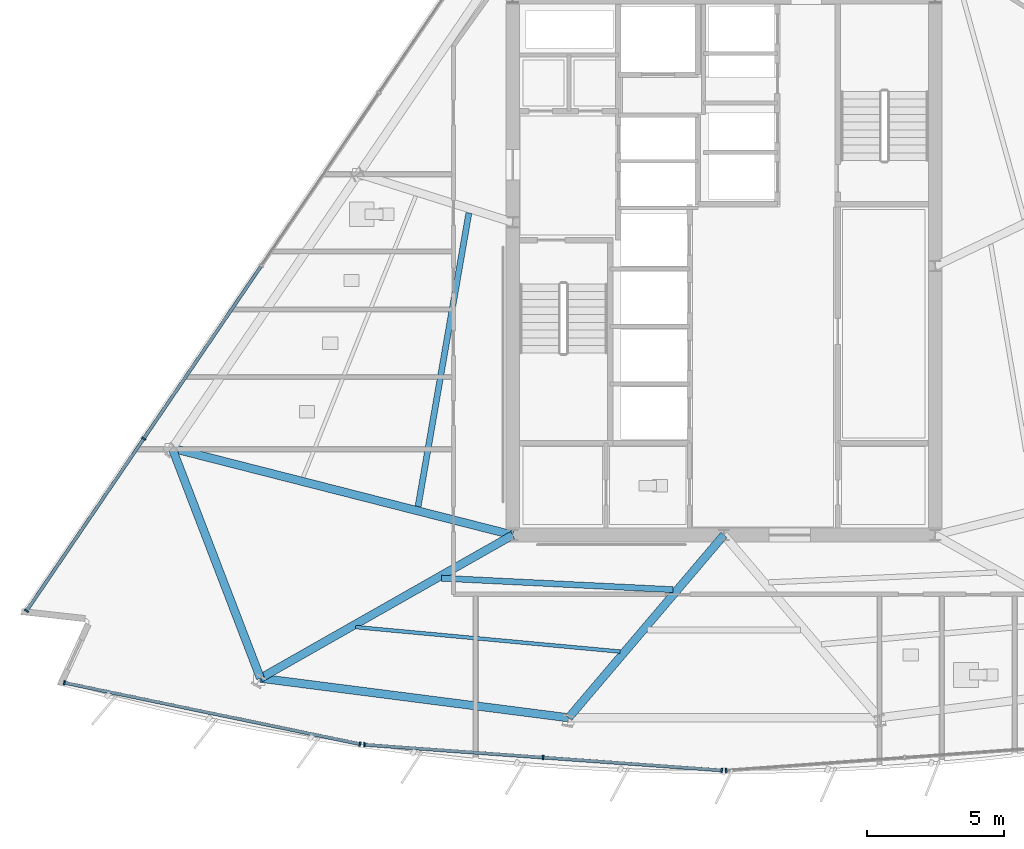
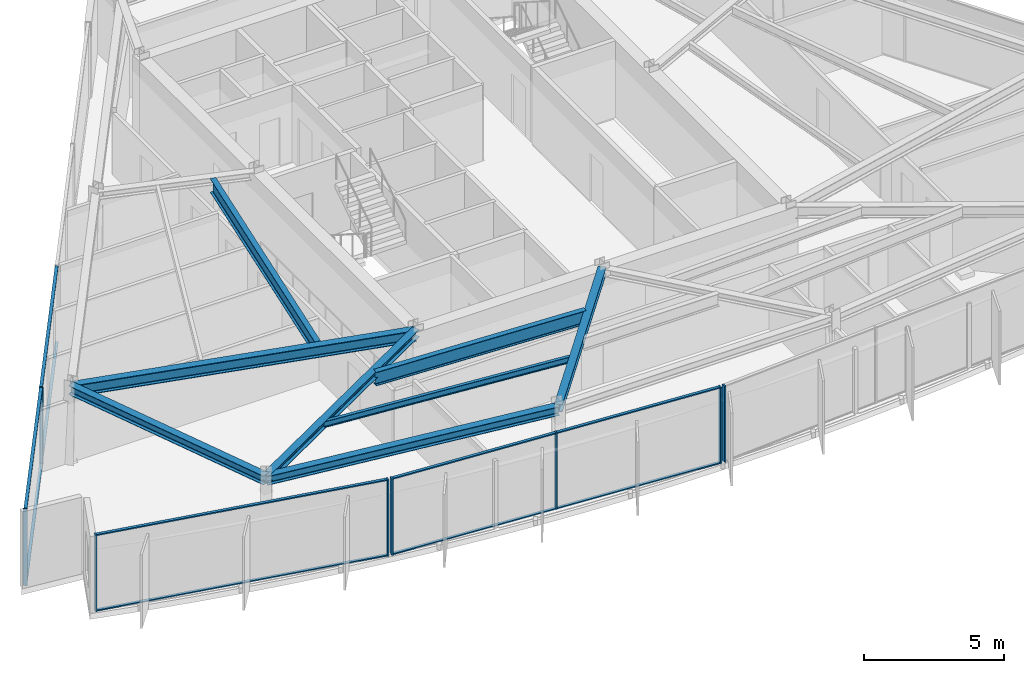
# One storey, part 2 of 15: 18 members, 8 beams, 4 elements without a shape of their own.
"""IFC4 building model written with IfcOpenShell, lengths in metres."""

from ifc_helpers import new_model, si_unit, direction, frame, origin, origin_2d, place, context, subcontext, project, spatial, rectangle, i_section, extrude, material, material_profile, profile_set, type_object, element, aggregate, save


model = new_model("IFC4")

# Units and contexts
model_context = context("Model", 3, precision=1e-05, world=origin(), true_north=direction((0.0, 1.0)))
body_context = subcontext(model_context, "Body", "Model", "MODEL_VIEW")
ifc_project = project(units=[si_unit("LENGTHUNIT", "METRE"), si_unit("AREAUNIT", "SQUARE_METRE"), si_unit("VOLUMEUNIT", "CUBIC_METRE"), si_unit("PLANEANGLEUNIT", "RADIAN"), si_unit("MASSUNIT", "GRAM", prefix="KILO")], contexts=[model_context])

# Site, building, storey
site_placement = place(None, origin())
site = spatial("IfcSite", under=ifc_project, at=site_placement, CompositionType="ELEMENT")
building_placement = place(site_placement, origin())
building = spatial("IfcBuilding", under=site, at=building_placement, Name="Savorim Split Tower", CompositionType="ELEMENT")
storey_placement = place(building_placement, frame((0.0, 0.0, 198.300048828125)))
storey = spatial("IfcBuildingStorey", under=building, at=storey_placement, Name="L52", CompositionType="ELEMENT", Elevation=198.300048828125)

# Beams
ifc_material_1 = material(Name="Steel S355", Category="steel")
ifc_material_profile_1 = material_profile(ifc_material_1, i_section(OverallWidth=0.135009765625, OverallDepth=0.27001953125, WebThickness=0.006591796875, FlangeThickness=0.01025390625, FilletRadius=0.014892578125, at=origin_2d()), Name="IPE 270")
ifc_profile_set_1 = profile_set([ifc_material_profile_1], Name="Steel S355")
beam_type_1 = type_object("IfcBeamType", Name="BM-JST-IPE270", PredefinedType="JOIST", material=ifc_profile_set_1)
beam_1_placement = place(storey_placement, frame((-13.425048828125, -12.75537109375, 3.21484375), z_axis=(0.995735700438, -0.092251909857, 0.0), x_axis=(0.092251909857, 0.995735700438, 0.0)))
element("IfcBeam", 1, at=beam_1_placement, inside=storey, type_object=beam_type_1, Name="L52 Secondary Floor Joist JS-01", PredefinedType="JOIST", context=body_context, shape_type="SweptSolid", body=[
    extrude(i_section(OverallWidth=0.135009765625, OverallDepth=0.27001953125, WebThickness=0.006591796875, FlangeThickness=0.01025390625, FilletRadius=0.014892578125, at=origin_2d()), origin(), (0.0, 0.0, 1.0), 9.683349609375),
])
ifc_material_profile_2 = material_profile(ifc_material_1, i_section(OverallWidth=0.219970703125, OverallDepth=0.60009765625, WebThickness=0.011962890625, FlangeThickness=0.01904296875, FilletRadius=0.02392578125, at=origin_2d()), Name="IPE 600")
ifc_profile_set_2 = profile_set([ifc_material_profile_2], Name="Steel S355")
beam_type_2 = type_object("IfcBeamType", Name="BM-JST-IPE600", PredefinedType="JOIST", material=ifc_profile_set_2)
beam_2_placement = place(storey_placement, frame((-10.298583984375, -10.973876953125, 3.050048828125), z_axis=(0.998783197976, -0.049316563563, 0.0), x_axis=(0.049316563563, 0.998783197976, 0.0)))
element("IfcBeam", 2, at=beam_2_placement, inside=storey, type_object=beam_type_2, Name="L52 Secondary Floor Joist JS-02", PredefinedType="JOIST", context=body_context, shape_type="SweptSolid", body=[
    extrude(i_section(OverallWidth=0.219970703125, OverallDepth=0.60009765625, WebThickness=0.011962890625, FlangeThickness=0.01904296875, FilletRadius=0.02392578125, at=origin_2d()), origin(), (0.0, 0.0, 1.0), 8.450439453125),
])
beam_3_placement = place(storey_placement, frame((-9.297607421875, 2.33740234375, 3.050048828125), z_axis=(-0.170542693809, -0.98535028776, 0.0), x_axis=(0.98535028776, -0.170542693809, 0.0)))
element("IfcBeam", 3, at=beam_3_placement, inside=storey, type_object=beam_type_2, Name="L52 Secondary Floor Joist JS-11", PredefinedType="JOIST", context=body_context, shape_type="SweptSolid", body=[
    extrude(i_section(OverallWidth=0.219970703125, OverallDepth=0.60009765625, WebThickness=0.011962890625, FlangeThickness=0.01904296875, FilletRadius=0.02392578125, at=origin_2d()), origin(), (0.0, 0.0, 1.0), 10.8525390625),
])
ifc_material_profile_3 = material_profile(ifc_material_1, i_section(OverallWidth=0.300048828125, OverallDepth=0.320068359375, WebThickness=0.011474609375, FlangeThickness=0.0205078125, FilletRadius=0.027099609375, at=origin_2d()), Name="HEB 320")
ifc_profile_set_3 = profile_set([ifc_material_profile_3], Name="Steel S355")
beam_type_3 = type_object("IfcBeamType", Name="BM-PRI-HEB320", PredefinedType="BEAM", material=ifc_profile_set_3)
beam_4_placement = place(storey_placement, frame((-16.894287109375, -14.61962890625, 3.18994140625), z_axis=(0.869632327229, 0.493699924486, 0.0), x_axis=(-0.493699924486, 0.869632327229, 0.0)))
element("IfcBeam", 4, at=beam_4_placement, inside=storey, type_object=beam_type_3, Name="L52 Primary Floor Girder RG-01", PredefinedType="BEAM", context=body_context, shape_type="SweptSolid", body=[
    extrude(i_section(OverallWidth=0.300048828125, OverallDepth=0.320068359375, WebThickness=0.011474609375, FlangeThickness=0.0205078125, FilletRadius=0.027099609375, at=origin_2d()), origin(), (0.0, 0.0, 1.0), 10.57275390625),
])
beam_5_placement = place(storey_placement, frame((-5.662109375, -16.061767578125, 3.18994140625), z_axis=(0.647616807297, 0.761966187509, 0.0), x_axis=(-0.761966187509, 0.647616807297, 0.0)))
element("IfcBeam", 5, at=beam_5_placement, inside=storey, type_object=beam_type_3, Name="L52 Primary Floor Girder RG-02", PredefinedType="BEAM", context=body_context, shape_type="SweptSolid", body=[
    extrude(i_section(OverallWidth=0.300048828125, OverallDepth=0.320068359375, WebThickness=0.011474609375, FlangeThickness=0.0205078125, FilletRadius=0.027099609375, at=origin_2d()), origin(), (0.0, 0.0, 1.0), 8.742919921875),
])
ifc_material_profile_4 = material_profile(ifc_material_1, i_section(OverallWidth=0.300048828125, OverallDepth=0.5, WebThickness=0.014404296875, FlangeThickness=0.028076171875, FilletRadius=0.027099609375, at=origin_2d()), Name="HEB 500")
ifc_profile_set_4 = profile_set([ifc_material_profile_4], Name="Steel S355")
beam_type_4 = type_object("IfcBeamType", Name="BM-PRI-HEB500", PredefinedType="BEAM", material=ifc_profile_set_4)
beam_6_placement = place(storey_placement, frame((-20.11328125, -6.235595703125, 3.099853515625), z_axis=(0.969012209776, -0.247012828221, 0.0), x_axis=(0.247012828221, 0.969012209776, 0.0)))
element("IfcBeam", 6, at=beam_6_placement, inside=storey, type_object=beam_type_4, Name="L52 Primary Floor Girder RG-10", PredefinedType="BEAM", context=body_context, shape_type="SweptSolid", body=[
    extrude(i_section(OverallWidth=0.300048828125, OverallDepth=0.5, WebThickness=0.014404296875, FlangeThickness=0.028076171875, FilletRadius=0.027099609375, at=origin_2d()), origin(), (0.0, 0.0, 1.0), 12.810302734375),
])
ifc_material_profile_5 = material_profile(ifc_material_1, i_section(OverallWidth=0.300048828125, OverallDepth=0.389892578125, WebThickness=0.010986328125, FlangeThickness=0.01904296875, FilletRadius=0.027099609375, at=origin_2d()), Name="HEA 400")
ifc_profile_set_5 = profile_set([ifc_material_profile_5], Name="Steel S355")
beam_type_5 = type_object("IfcBeamType", Name="BM-SPN-HEA400", PredefinedType="SPANDREL", material=ifc_profile_set_5)
beam_7_placement = place(storey_placement, frame((-16.894287109375, -14.61962890625, 3.155029296875), z_axis=(0.991858080732, -0.127348135781, 0.0), x_axis=(0.127348135781, 0.991858080732, 0.0)))
element("IfcBeam", 7, at=beam_7_placement, inside=storey, type_object=beam_type_5, Name="L52 Perimeter Spandrel Beam 1", PredefinedType="SPANDREL", context=body_context, shape_type="SweptSolid", body=[
    extrude(i_section(OverallWidth=0.300048828125, OverallDepth=0.389892578125, WebThickness=0.010986328125, FlangeThickness=0.01904296875, FilletRadius=0.027099609375, at=origin_2d()), origin(), (0.0, 0.0, 1.0), 11.324462890625),
])
beam_8_placement = place(storey_placement, frame((-20.11328125, -6.235595703125, 3.155029296875), z_axis=(0.358432517798, -0.933555638505, 0.0), x_axis=(0.933555638505, 0.358432517798, 0.0)))
element("IfcBeam", 8, at=beam_8_placement, inside=storey, type_object=beam_type_5, Name="L52 Perimeter Spandrel Beam 10", PredefinedType="SPANDREL", context=body_context, shape_type="SweptSolid", body=[
    extrude(i_section(OverallWidth=0.300048828125, OverallDepth=0.389892578125, WebThickness=0.010986328125, FlangeThickness=0.01904296875, FilletRadius=0.027099609375, at=origin_2d()), origin(), (0.0, 0.0, 1.0), 8.980712890625),
])

# Curtain wall, members
ifc_material_2 = material(Name="Dark Ceramic-Fritted Insulated Glass", Category="glass")
curtain_wall_type = type_object("IfcCurtainWallType", Name="CW-TWR-FRIT-B", PredefinedType="NOTDEFINED", material=ifc_material_2)
curtain_wall_1_placement = place(storey_placement, origin())
curtain_wall_1 = element("IfcCurtainWall", 9, at=curtain_wall_1_placement, inside=storey, type_object=curtain_wall_type, Name="L52 Curtain Wall CW-L52-SF1", PredefinedType="NOTDEFINED")
ifc_material_3 = material(Name="Charcoal Anodised Aluminium", Category="aluminium")
ifc_material_profile_6 = material_profile(ifc_material_3, rectangle(XDim=0.159912109375, YDim=0.06005859375, at=origin_2d()), Name="ALU-M 160x60")
ifc_profile_set_6 = profile_set([ifc_material_profile_6], Name="Charcoal Anodised Aluminium")
member_type_1 = type_object("IfcMemberType", Name="CWM-160x60", PredefinedType="MULLION", material=ifc_profile_set_6)
member_1_placement = place(storey_placement, frame((-24.041259765625, -14.782958984375, 0.0), z_axis=(0.0, 0.0, 1.0), x_axis=(0.203207957161, 0.979135601511, 0.0)))
member_1 = element("IfcMember", 10, at=member_1_placement, type_object=member_type_1, Name="CW-03 mullion 1", PredefinedType="MULLION", context=body_context, shape_type="SweptSolid", body=[
    extrude(rectangle(XDim=0.159912109375, YDim=0.06005859375, at=origin_2d()), origin(), (0.0, 0.0, 1.0), 3.349853515625),
])
member_2_placement = place(storey_placement, frame((-13.264404296875, -17.01953125, 0.0), z_axis=(0.0, 0.0, 1.0), x_axis=(0.203207957161, 0.979135601511, 0.0)))
member_2 = element("IfcMember", 11, at=member_2_placement, type_object=member_type_1, Name="CW-03 mullion 2", PredefinedType="MULLION", context=body_context, shape_type="SweptSolid", body=[
    extrude(rectangle(XDim=0.159912109375, YDim=0.06005859375, at=origin_2d()), origin(), (0.0, 0.0, 1.0), 3.349853515625),
])

curtain_wall_2_placement = place(storey_placement, origin())
curtain_wall_2 = element("IfcCurtainWall", 12, at=curtain_wall_2_placement, inside=storey, type_object=curtain_wall_type, Name="L52 Curtain Wall CW-L52-SF2", PredefinedType="NOTDEFINED")
member_3_placement = place(storey_placement, frame((-13.102294921875, -17.0419921875, 0.0), z_axis=(0.0, 0.0, 1.0), x_axis=(0.071561883187, 0.997436161804, 0.0)))
member_3 = element("IfcMember", 13, at=member_3_placement, type_object=member_type_1, Name="CW-03 mullion 1", PredefinedType="MULLION", context=body_context, shape_type="SweptSolid", body=[
    extrude(rectangle(XDim=0.159912109375, YDim=0.06005859375, at=origin_2d()), origin(), (0.0, 0.0, 1.0), 3.349853515625),
])
member_4_placement = place(storey_placement, frame((-6.591796875, -17.509033203125, 0.0), z_axis=(0.0, 0.0, 1.0), x_axis=(0.071561883187, 0.997436161804, 0.0)))
member_4 = element("IfcMember", 14, at=member_4_placement, type_object=member_type_1, Name="CW-03 mullion 2", PredefinedType="MULLION", context=body_context, shape_type="SweptSolid", body=[
    extrude(rectangle(XDim=0.159912109375, YDim=0.06005859375, at=origin_2d()), origin(), (0.0, 0.0, 1.0), 3.349853515625),
])
member_5_placement = place(storey_placement, frame((-0.081298828125, -17.976318359375, 0.0), z_axis=(0.0, 0.0, 1.0), x_axis=(0.071561883187, 0.997436161804, 0.0)))
member_5 = element("IfcMember", 15, at=member_5_placement, type_object=member_type_1, Name="CW-03 mullion 3", PredefinedType="MULLION", context=body_context, shape_type="SweptSolid", body=[
    extrude(rectangle(XDim=0.159912109375, YDim=0.06005859375, at=origin_2d()), origin(), (0.0, 0.0, 1.0), 3.349853515625),
])

# Curtain wall, member
curtain_wall_3_placement = place(storey_placement, origin())
curtain_wall_3 = element("IfcCurtainWall", 16, at=curtain_wall_3_placement, inside=storey, type_object=curtain_wall_type, Name="L52 Curtain Wall CW-L52-SF3", PredefinedType="NOTDEFINED")
member_6_placement = place(storey_placement, frame((0.081298828125, -17.976318359375, 0.0), z_axis=(0.0, 0.0, 1.0), x_axis=(-0.071561883187, 0.997436161804, 0.0)))
member_6 = element("IfcMember", 17, at=member_6_placement, type_object=member_type_1, Name="CW-03 mullion 1", PredefinedType="MULLION", context=body_context, shape_type="SweptSolid", body=[
    extrude(rectangle(XDim=0.159912109375, YDim=0.06005859375, at=origin_2d()), origin(), (0.0, 0.0, 1.0), 3.349853515625),
])
aggregate(curtain_wall_3, [member_6])

# Curtain wall, members
curtain_wall_4_placement = place(storey_placement, origin())
curtain_wall_4 = element("IfcCurtainWall", 18, at=curtain_wall_4_placement, inside=storey, type_object=curtain_wall_type, Name="L52 Curtain Wall CW-L52-WEST", PredefinedType="NOTDEFINED")
member_7_placement = place(storey_placement, frame((-21.147705078125, -5.884033203125, 0.0), z_axis=(0.0, 0.0, 1.0), x_axis=(0.826820907104, -0.562465276773, 0.0)))
member_7 = element("IfcMember", 19, at=member_7_placement, type_object=member_type_1, Name="CW-03 mullion 4", PredefinedType="MULLION", context=body_context, shape_type="SweptSolid", body=[
    extrude(rectangle(XDim=0.159912109375, YDim=0.06005859375, at=origin_2d()), origin(), (0.0, 0.0, 1.0), 3.349853515625),
])
member_8_placement = place(storey_placement, frame((-25.4189453125, -12.16259765625, 0.0), z_axis=(0.0, 0.0, 1.0), x_axis=(0.826820907104, -0.562465276773, 0.0)))
member_8 = element("IfcMember", 20, at=member_8_placement, type_object=member_type_1, Name="CW-03 mullion 5", PredefinedType="MULLION", context=body_context, shape_type="SweptSolid", body=[
    extrude(rectangle(XDim=0.159912109375, YDim=0.06005859375, at=origin_2d()), origin(), (0.0, 0.0, 1.0), 3.349853515625),
])

# Member
ifc_material_profile_7 = material_profile(ifc_material_3, rectangle(XDim=0.1201171875, YDim=0.050048828125, at=origin_2d()), Name="ALU-T 120x50")
ifc_profile_set_7 = profile_set([ifc_material_profile_7], Name="Charcoal Anodised Aluminium")
member_type_2 = type_object("IfcMemberType", Name="CWT-120x50", PredefinedType="USERDEFINED", material=ifc_profile_set_7)
member_9_placement = place(storey_placement, frame((-24.011962890625, -14.7890625, 0.02490234375), z_axis=(0.979137102834, -0.203200723063, 0.0), x_axis=(0.203200723063, 0.979137102834, 0.0)))
member_9 = element("IfcMember", 21, at=member_9_placement, type_object=member_type_2, Name="CW-03 transom 1.1", ObjectType="TRANSOM", PredefinedType="USERDEFINED", context=body_context, shape_type="SweptSolid", body=[
    extrude(rectangle(XDim=0.1201171875, YDim=0.050048828125, at=origin_2d()), origin(), (0.0, 0.0, 1.0), 10.946533203125),
])

member_10_placement = place(storey_placement, frame((-24.011962890625, -14.7890625, 3.324951171875), z_axis=(0.979137102834, -0.203200723063, 0.0), x_axis=(0.203200723063, 0.979137102834, 0.0)))
member_10 = element("IfcMember", 22, at=member_10_placement, type_object=member_type_2, Name="CW-03 transom 1.2", ObjectType="TRANSOM", PredefinedType="USERDEFINED", context=body_context, shape_type="SweptSolid", body=[
    extrude(rectangle(XDim=0.1201171875, YDim=0.050048828125, at=origin_2d()), origin(), (0.0, 0.0, 1.0), 10.946533203125),
])

aggregate(curtain_wall_1, [member_1, member_2, member_9, member_10])

member_11_placement = place(storey_placement, frame((-13.072265625, -17.044189453125, 0.02490234375), z_axis=(0.997435267849, -0.071574342133, 0.0), x_axis=(0.071574342133, 0.997435267849, 0.0)))
member_11 = element("IfcMember", 23, at=member_11_placement, type_object=member_type_2, Name="CW-03 transom 1.1", ObjectType="TRANSOM", PredefinedType="USERDEFINED", context=body_context, shape_type="SweptSolid", body=[
    extrude(rectangle(XDim=0.1201171875, YDim=0.050048828125, at=origin_2d()), origin(), (0.0, 0.0, 1.0), 6.46728515625),
])

member_12_placement = place(storey_placement, frame((-13.072265625, -17.044189453125, 3.324951171875), z_axis=(0.997435267849, -0.071574342133, 0.0), x_axis=(0.071574342133, 0.997435267849, 0.0)))
member_12 = element("IfcMember", 24, at=member_12_placement, type_object=member_type_2, Name="CW-03 transom 1.2", ObjectType="TRANSOM", PredefinedType="USERDEFINED", context=body_context, shape_type="SweptSolid", body=[
    extrude(rectangle(XDim=0.1201171875, YDim=0.050048828125, at=origin_2d()), origin(), (0.0, 0.0, 1.0), 6.46728515625),
])

member_13_placement = place(storey_placement, frame((-6.561767578125, -17.51123046875, 0.02490234375), z_axis=(0.997435267849, -0.071574342133, 0.0), x_axis=(0.071574342133, 0.997435267849, 0.0)))
member_13 = element("IfcMember", 25, at=member_13_placement, type_object=member_type_2, Name="CW-03 transom 2.1", ObjectType="TRANSOM", PredefinedType="USERDEFINED", context=body_context, shape_type="SweptSolid", body=[
    extrude(rectangle(XDim=0.1201171875, YDim=0.050048828125, at=origin_2d()), origin(), (0.0, 0.0, 1.0), 6.46728515625),
])

member_14_placement = place(storey_placement, frame((-6.561767578125, -17.51123046875, 3.324951171875), z_axis=(0.997435267849, -0.071574342133, 0.0), x_axis=(0.071574342133, 0.997435267849, 0.0)))
member_14 = element("IfcMember", 26, at=member_14_placement, type_object=member_type_2, Name="CW-03 transom 2.2", ObjectType="TRANSOM", PredefinedType="USERDEFINED", context=body_context, shape_type="SweptSolid", body=[
    extrude(rectangle(XDim=0.1201171875, YDim=0.050048828125, at=origin_2d()), origin(), (0.0, 0.0, 1.0), 6.46728515625),
])

aggregate(curtain_wall_2, [member_3, member_4, member_5, member_11, member_12, member_13, member_14])

member_15_placement = place(storey_placement, frame((-16.876708984375, 0.39453125, 0.02490234375), z_axis=(-0.562460105571, -0.826824424918, 0.0), x_axis=(0.826824424918, -0.562460105571, 0.0)))
member_15 = element("IfcMember", 27, at=member_15_placement, type_object=member_type_2, Name="CW-03 transom 3.1", ObjectType="TRANSOM", PredefinedType="USERDEFINED", context=body_context, shape_type="SweptSolid", body=[
    extrude(rectangle(XDim=0.1201171875, YDim=0.050048828125, at=origin_2d()), origin(), (0.0, 0.0, 1.0), 7.5634765625),
])

member_16_placement = place(storey_placement, frame((-16.876708984375, 0.39453125, 3.324951171875), z_axis=(-0.562460105571, -0.826824424918, 0.0), x_axis=(0.826824424918, -0.562460105571, 0.0)))
member_16 = element("IfcMember", 28, at=member_16_placement, type_object=member_type_2, Name="CW-03 transom 3.2", ObjectType="TRANSOM", PredefinedType="USERDEFINED", context=body_context, shape_type="SweptSolid", body=[
    extrude(rectangle(XDim=0.1201171875, YDim=0.050048828125, at=origin_2d()), origin(), (0.0, 0.0, 1.0), 7.5634765625),
])

member_17_placement = place(storey_placement, frame((-21.16455078125, -5.90869140625, 0.02490234375), z_axis=(-0.562453610104, -0.826828843523, 0.0), x_axis=(0.826828843523, -0.562453610104, 0.0)))
member_17 = element("IfcMember", 29, at=member_17_placement, type_object=member_type_2, Name="CW-03 transom 4.1", ObjectType="TRANSOM", PredefinedType="USERDEFINED", context=body_context, shape_type="SweptSolid", body=[
    extrude(rectangle(XDim=0.1201171875, YDim=0.050048828125, at=origin_2d()), origin(), (0.0, 0.0, 1.0), 7.53369140625),
])

member_18_placement = place(storey_placement, frame((-21.16455078125, -5.90869140625, 3.324951171875), z_axis=(-0.562453610104, -0.826828843523, 0.0), x_axis=(0.826828843523, -0.562453610104, 0.0)))
member_18 = element("IfcMember", 30, at=member_18_placement, type_object=member_type_2, Name="CW-03 transom 4.2", ObjectType="TRANSOM", PredefinedType="USERDEFINED", context=body_context, shape_type="SweptSolid", body=[
    extrude(rectangle(XDim=0.1201171875, YDim=0.050048828125, at=origin_2d()), origin(), (0.0, 0.0, 1.0), 7.53369140625),
])

aggregate(curtain_wall_4, [member_7, member_8, member_15, member_16, member_17, member_18])

save(model, "model.ifc")
